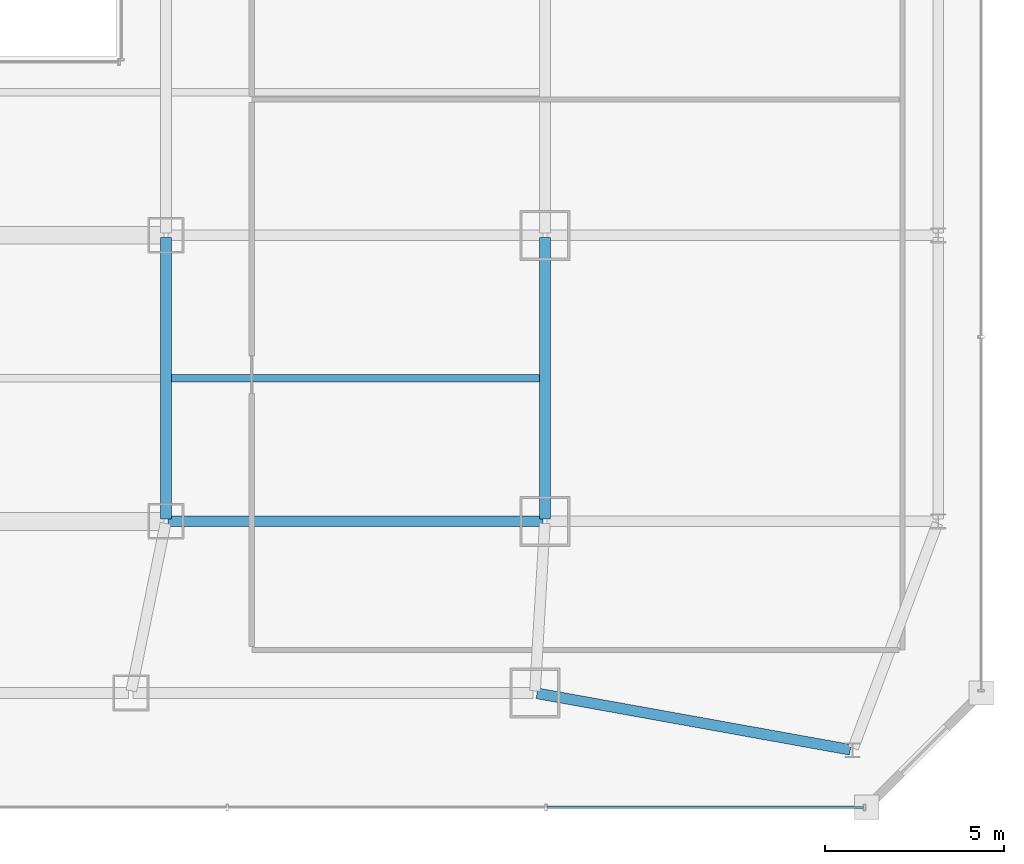
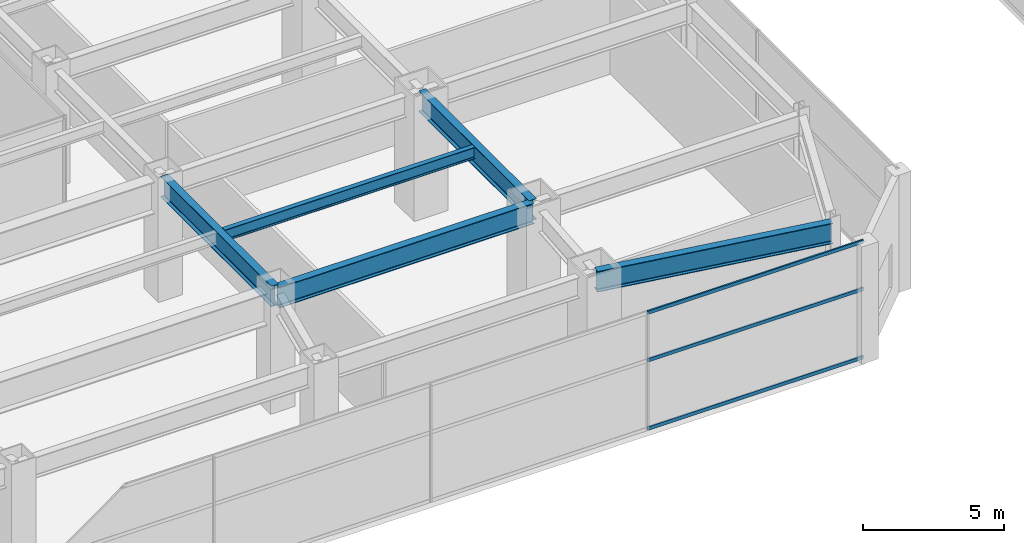
# One storey, part 16 of 52: 5 beams, 3 members, 1 element without a shape of its own.
"""IFC4 building model written with IfcOpenShell, lengths in metres."""

from ifc_helpers import new_model, si_unit, direction, frame, origin, origin_2d, place, context, subcontext, project, spatial, hollow_rectangle, i_section, extrude, material, material_profile, profile_set, type_object, element, aggregate, save


model = new_model("IFC4")

# Units and contexts
model_context = context("Model", 3, precision=1e-05, world=origin(), true_north=direction((0.0, 1.0)))
body_context = subcontext(model_context, "Body", "Model", "MODEL_VIEW")
ifc_project = project(units=[si_unit("LENGTHUNIT", "METRE"), si_unit("AREAUNIT", "SQUARE_METRE"), si_unit("VOLUMEUNIT", "CUBIC_METRE"), si_unit("PLANEANGLEUNIT", "RADIAN"), si_unit("MASSUNIT", "GRAM", prefix="KILO")], contexts=[model_context])

# Site, building, storey
site_placement = place(None, origin())
site = spatial("IfcSite", under=ifc_project, at=site_placement, CompositionType="ELEMENT")
building_placement = place(site_placement, origin())
building = spatial("IfcBuilding", under=site, at=building_placement, Name="Saevonmaru Cultural Tower", CompositionType="ELEMENT")
storey_placement = place(building_placement, frame((0.0, 0.0, 11.39990234375)))
storey = spatial("IfcBuildingStorey", under=building, at=storey_placement, Name="L02", CompositionType="ELEMENT", Elevation=11.39990234375)

# Beams
ifc_material_1 = material(Name="Steel SM420", Category="steel")
ifc_material_profile_1 = material_profile(ifc_material_1, i_section(OverallWidth=0.300048828125, OverallDepth=0.89990234375, WebThickness=0.01611328125, FlangeThickness=0.028076171875, FilletRadius=0.028076171875, at=origin_2d()), Name="H-900x300x16x28")
ifc_profile_set_1 = profile_set([ifc_material_profile_1], Name="Steel SM420")
beam_type_1 = type_object("IfcBeamType", Name="BM-G-H900", PredefinedType="BEAM", material=ifc_profile_set_1)
for number, where, z_axis, x_axis, name in (
    (1, (37.199951171875, 8.06005859375, 4.650146484375), (0.0, 1.0, 0.0), (-1.0, 0.0, 0.0), "L02 Podium Girder NS3-2"),
    (2, (47.800048828125, 8.06005859375, 4.650146484375), (0.0, 1.0, 0.0), (-1.0, 0.0, 0.0), "L02 Podium Girder NS4-2"),
):
    element("IfcBeam", number, at=place(storey_placement, frame(where, z_axis=z_axis, x_axis=x_axis)), inside=storey, type_object=beam_type_1, Name=name, PredefinedType="BEAM", context=body_context, shape_type="SweptSolid", body=[
        extrude(i_section(OverallWidth=0.300048828125, OverallDepth=0.89990234375, WebThickness=0.01611328125, FlangeThickness=0.028076171875, FilletRadius=0.028076171875, at=origin_2d()), origin(), (0.0, 0.0, 1.0), 7.8798828125),
    ])
beam_1_placement = place(storey_placement, frame((37.260009765625, 8.0, 4.650146484375), z_axis=(1.0, 0.0, 0.0), x_axis=(0.0, 1.0, 0.0)))
element("IfcBeam", 3, at=beam_1_placement, inside=storey, type_object=beam_type_1, Name="L02 Gallery Girder E-1", PredefinedType="BEAM", context=body_context, shape_type="SweptSolid", body=[
    extrude(i_section(OverallWidth=0.300048828125, OverallDepth=0.89990234375, WebThickness=0.01611328125, FlangeThickness=0.028076171875, FilletRadius=0.028076171875, at=origin_2d()), origin(), (0.0, 0.0, 1.0), 10.47998046875),
])
beam_2_placement = place(storey_placement, frame((47.5791015625, 3.189453125, 4.650146484375), z_axis=(0.984149934695, -0.177338394151, 0.0), x_axis=(0.177338394151, 0.984149934695, 0.0)))
element("IfcBeam", 4, at=beam_2_placement, inside=storey, type_object=beam_type_1, Name="BM-POD-PS-2-L02", PredefinedType="BEAM", context=body_context, shape_type="SweptSolid", body=[
    extrude(i_section(OverallWidth=0.300048828125, OverallDepth=0.89990234375, WebThickness=0.01611328125, FlangeThickness=0.028076171875, FilletRadius=0.028076171875, at=origin_2d()), origin(), (0.0, 0.0, 1.0), 8.903076171875),
])
ifc_material_2 = material(Name="Steel SM355", Category="steel")
ifc_material_profile_2 = material_profile(ifc_material_2, i_section(OverallWidth=0.199951171875, OverallDepth=0.5, WebThickness=0.010009765625, FlangeThickness=0.01611328125, FilletRadius=0.02001953125, at=origin_2d()), Name="H-500x200x10x16")
ifc_profile_set_2 = profile_set([ifc_material_profile_2], Name="Steel SM355")
beam_type_2 = type_object("IfcBeamType", Name="BM-J-H500", PredefinedType="JOIST", material=ifc_profile_set_2)
beam_3_placement = place(storey_placement, frame((37.35791015625, 12.0, 4.85009765625), z_axis=(1.0, 0.0, 0.0), x_axis=(0.0, 1.0, 0.0)))
element("IfcBeam", 5, at=beam_3_placement, inside=storey, type_object=beam_type_2, Name="L02 Secondary Floor Joist JE-1", PredefinedType="JOIST", context=body_context, shape_type="SweptSolid", body=[
    extrude(i_section(OverallWidth=0.199951171875, OverallDepth=0.5, WebThickness=0.010009765625, FlangeThickness=0.01611328125, FilletRadius=0.02001953125, at=origin_2d()), origin(), (0.0, 0.0, 1.0), 10.2841796875),
])

# Curtain wall, members
ifc_material_3 = material(Name="Satin Bronze Anodised Aluminium", Category="aluminium")
curtain_wall_type = type_object("IfcCurtainWallType", Name="CW-POD-GLZ", PredefinedType="NOTDEFINED", material=ifc_material_3)
curtain_wall_placement = place(storey_placement, origin())
curtain_wall = element("IfcCurtainWall", 6, at=curtain_wall_placement, inside=storey, type_object=curtain_wall_type, Name="L02 South Grand Foyer Curtain Wall", PredefinedType="NOTDEFINED")
ifc_material_profile_3 = material_profile(ifc_material_3, hollow_rectangle(XDim=0.06494140625, YDim=0.14990234375, WallThickness=0.00390625, at=origin_2d()), Name="ALU-TRAN-150x65x4")
ifc_profile_set_3 = profile_set([ifc_material_profile_3], Name="Satin Bronze Anodised Aluminium")
member_type = type_object("IfcMemberType", Name="TR-CW-150x65", PredefinedType="USERDEFINED", material=ifc_profile_set_3)
member_1_placement = place(storey_placement, frame((47.859130859375, 0.0, 0.03271484375), z_axis=(1.0, 0.0, 0.0), x_axis=(0.0, 1.0, 0.0)))
member_1 = element("IfcMember", 7, at=member_1_placement, type_object=member_type, Name="CW-POD-S-L02 transom 6.1", ObjectType="TRANSOM", PredefinedType="USERDEFINED", context=body_context, shape_type="SweptSolid", body=[
    extrude(hollow_rectangle(XDim=0.06494140625, YDim=0.14990234375, WallThickness=0.00390625, at=origin_2d()), origin(), (0.0, 0.0, 1.0), 8.848388671875),
])
member_2_placement = place(storey_placement, frame((47.859130859375, 0.0, 3.0), z_axis=(1.0, 0.0, 0.0), x_axis=(0.0, 1.0, 0.0)))
member_2 = element("IfcMember", 8, at=member_2_placement, type_object=member_type, Name="CW-POD-S-L02 transom 6.2", ObjectType="TRANSOM", PredefinedType="USERDEFINED", context=body_context, shape_type="SweptSolid", body=[
    extrude(hollow_rectangle(XDim=0.06494140625, YDim=0.14990234375, WallThickness=0.00390625, at=origin_2d()), origin(), (0.0, 0.0, 1.0), 8.848388671875),
])
member_3_placement = place(storey_placement, frame((47.859130859375, 0.0, 5.067626953125), z_axis=(1.0, 0.0, 0.0), x_axis=(0.0, 1.0, 0.0)))
member_3 = element("IfcMember", 9, at=member_3_placement, type_object=member_type, Name="CW-POD-S-L02 transom 6.3", ObjectType="TRANSOM", PredefinedType="USERDEFINED", context=body_context, shape_type="SweptSolid", body=[
    extrude(hollow_rectangle(XDim=0.06494140625, YDim=0.14990234375, WallThickness=0.00390625, at=origin_2d()), origin(), (0.0, 0.0, 1.0), 8.848388671875),
])
aggregate(curtain_wall, [member_1, member_2, member_3])

save(model, "model.ifc")
